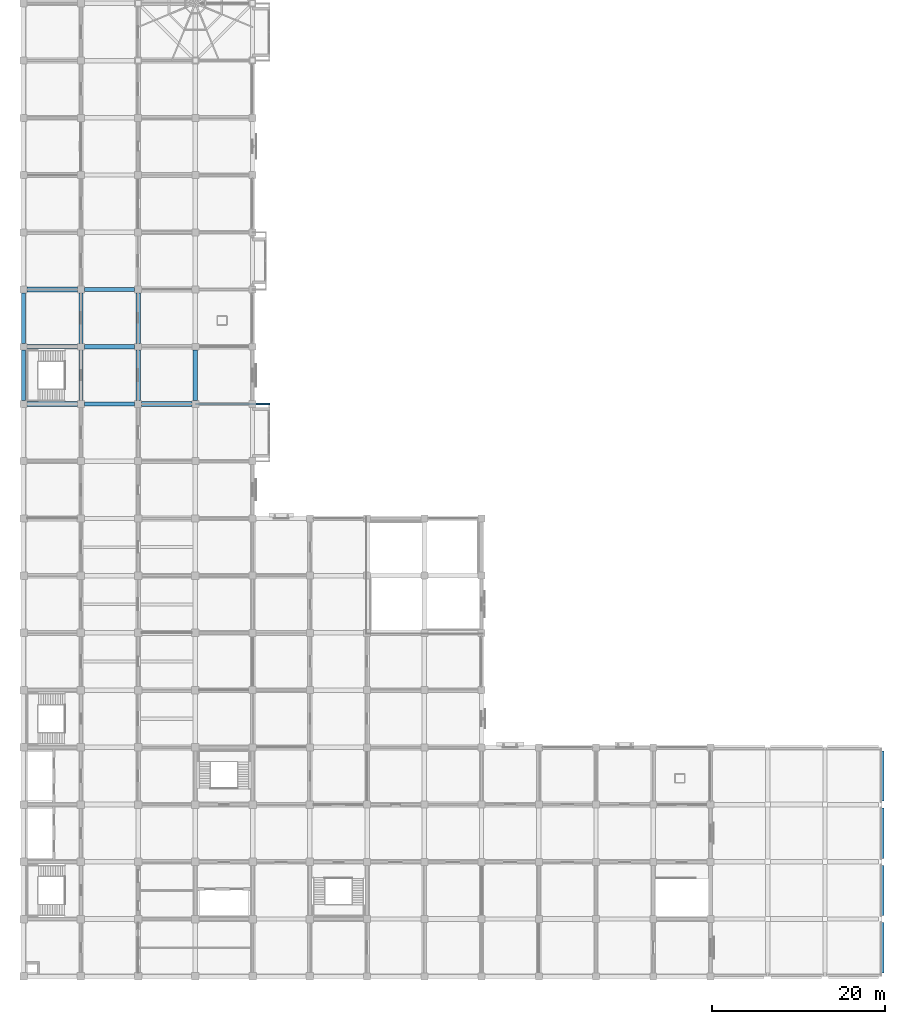
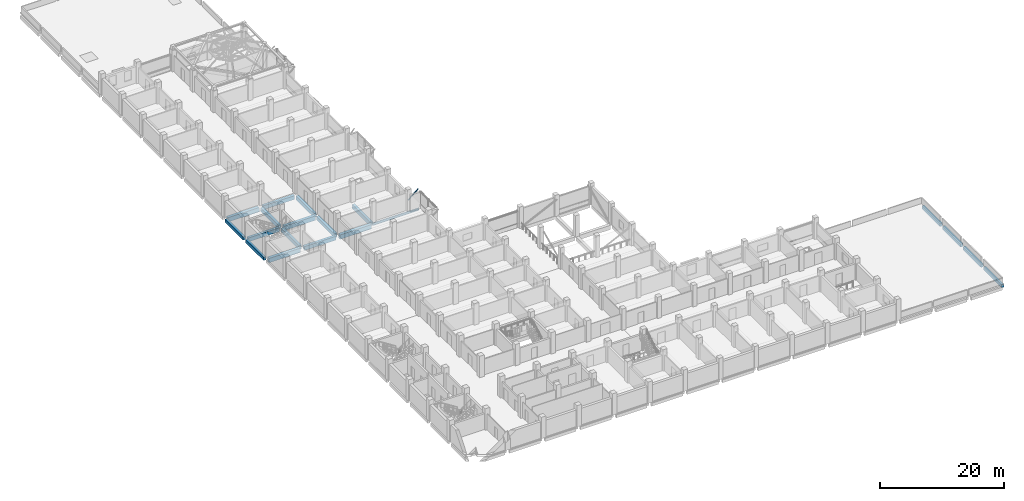
# One storey, part 9 of 30: 19 beams, 1 member.
"""IFC4 building model written with IfcOpenShell, lengths in metres."""

from ifc_helpers import new_model, si_unit, direction, frame, origin, origin_2d, place, context, subcontext, project, spatial, rectangle, hollow_circle, i_section, extrude, material, material_profile, profile_set, type_object, element, save


model = new_model("IFC4")

# Units and contexts
model_context = context("Model", 3, precision=1e-05, world=origin(), true_north=direction((0.0, 1.0)))
body_context = subcontext(model_context, "Body", "Model", "MODEL_VIEW")
ifc_project = project(units=[si_unit("LENGTHUNIT", "METRE"), si_unit("AREAUNIT", "SQUARE_METRE"), si_unit("VOLUMEUNIT", "CUBIC_METRE"), si_unit("PLANEANGLEUNIT", "RADIAN"), si_unit("MASSUNIT", "GRAM", prefix="KILO")], contexts=[model_context])

# Site, building, storey
site_placement = place(None, origin())
site = spatial("IfcSite", under=ifc_project, at=site_placement, CompositionType="ELEMENT")
building_placement = place(site_placement, origin())
building = spatial("IfcBuilding", under=site, at=building_placement, Name="Rusizi Kubbe Research Institute", CompositionType="ELEMENT")
storey_placement = place(building_placement, frame((0.0, 0.0, 10.199951171875)))
storey = spatial("IfcBuildingStorey", under=building, at=storey_placement, Name="L02", CompositionType="ELEMENT", Elevation=10.199951171875)

# Beams
ifc_material_1 = material(Name="Steel S355", Category="steel")
ifc_material_profile_1 = material_profile(ifc_material_1, i_section(OverallWidth=0.18994140625, OverallDepth=0.449951171875, WebThickness=0.009521484375, FlangeThickness=0.0146484375, at=origin_2d()), Name="IPE 450")
ifc_profile_set_1 = profile_set([ifc_material_profile_1], Name="Steel S355")
beam_type_1 = type_object("IfcBeamType", Name="BM-IPE450", PredefinedType="BEAM", material=ifc_profile_set_1)
beam_1_placement = place(storey_placement, frame((19.800048828125, 66.0, -0.574951171875), z_axis=(1.0, 0.0, 0.0), x_axis=(0.0, 1.0, 0.0)))
element("IfcBeam", 1, at=beam_1_placement, inside=storey, type_object=beam_type_1, Name="Cumba Back-Spanned Cantilever Beam L02-1N", PredefinedType="BEAM", context=body_context, shape_type="SweptSolid", body=[
    extrude(i_section(OverallWidth=0.18994140625, OverallDepth=0.449951171875, WebThickness=0.009521484375, FlangeThickness=0.0146484375, at=origin_2d()), origin(), (0.0, 0.0, 1.0), 8.599853515625),
])
ifc_material_2 = material(Name="Concrete C40/50", Category="concrete")
ifc_material_profile_2 = material_profile(ifc_material_2, rectangle(XDim=0.449951171875, YDim=0.60009765625, at=origin_2d()), Name="RC450x600")
ifc_profile_set_2 = profile_set([ifc_material_profile_2], Name="Concrete C40/50")
beam_type_2 = type_object("IfcBeamType", Name="BM-RC450x600", PredefinedType="SPANDREL", material=ifc_profile_set_2)
for number, where, z_axis, x_axis, name in (
    (2, (0.0, 66.39990234375, -0.64990234375), (0.0, 1.0, 0.0), (-1.0, 0.0, 0.0), "Grid Beam V L02 (0,10)"),
    (3, (0.0, 73.0, -0.64990234375), (0.0, 1.0, 0.0), (-1.0, 0.0, 0.0), "Grid Beam V L02 (0,11)"),
    (4, (99.0, 0.39990234375, -0.64990234375), (0.0, 1.0, 0.0), (-1.0, 0.0, 0.0), "Grid Beam V L02 (15,0)"),
    (5, (99.0, 7.0, -0.64990234375), (0.0, 1.0, 0.0), (-1.0, 0.0, 0.0), "Grid Beam V L02 (15,1)"),
):
    element("IfcBeam", number, at=place(storey_placement, frame(where, z_axis=z_axis, x_axis=x_axis)), inside=storey, type_object=beam_type_2, Name=name, PredefinedType="SPANDREL", context=body_context, shape_type="SweptSolid", body=[
        extrude(rectangle(XDim=0.449951171875, YDim=0.60009765625, at=origin_2d()), origin(), (0.0, 0.0, 1.0), 5.800048828125),
    ])
beam_2_placement = place(storey_placement, frame((99.0, 13.60009765625, -0.64990234375), z_axis=(0.0, 1.0, 0.0), x_axis=(-1.0, 0.0, 0.0)))
element("IfcBeam", 6, at=beam_2_placement, inside=storey, type_object=beam_type_2, Name="Grid Beam V L02 (15,2)", PredefinedType="SPANDREL", context=body_context, shape_type="SweptSolid", body=[
    extrude(rectangle(XDim=0.449951171875, YDim=0.60009765625, at=origin_2d()), origin(), (0.0, 0.0, 1.0), 5.7998046875),
])
beam_3_placement = place(storey_placement, frame((99.0, 20.199951171875, -0.64990234375), z_axis=(0.0, 1.0, 0.0), x_axis=(-1.0, 0.0, 0.0)))
element("IfcBeam", 7, at=beam_3_placement, inside=storey, type_object=beam_type_2, Name="Grid Beam V L02 (15,3)", PredefinedType="SPANDREL", context=body_context, shape_type="SweptSolid", body=[
    extrude(rectangle(XDim=0.449951171875, YDim=0.60009765625, at=origin_2d()), origin(), (0.0, 0.0, 1.0), 5.800048828125),
])
ifc_material_3 = material(Name="Concrete C45/55", Category="concrete")
ifc_material_profile_3 = material_profile(ifc_material_3, rectangle(XDim=0.5, YDim=0.75, at=origin_2d()), Name="RC500x750B")
ifc_profile_set_3 = profile_set([ifc_material_profile_3], Name="Concrete C45/55")
beam_type_3 = type_object("IfcBeamType", Name="BM-RC500x750", PredefinedType="BEAM", material=ifc_profile_set_3)
for number, where, z_axis, x_axis, name in (
    (8, (0.39990234375, 72.60009765625, -0.724853515625), (1.0, 0.0, 0.0), (0.0, 1.0, 0.0), "Grid Beam H L02 (0,11)"),
    (9, (7.0, 66.0, -0.724853515625), (1.0, 0.0, 0.0), (0.0, 1.0, 0.0), "Grid Beam H L02 (1,10)"),
    (10, (7.0, 79.199951171875, -0.724853515625), (1.0, 0.0, 0.0), (0.0, 1.0, 0.0), "Grid Beam H L02 (1,12)"),
    (11, (6.60009765625, 66.39990234375, -0.724853515625), (0.0, 1.0, 0.0), (-1.0, 0.0, 0.0), "Grid Beam V L02 (1,10)"),
    (12, (6.60009765625, 73.0, -0.724853515625), (0.0, 1.0, 0.0), (-1.0, 0.0, 0.0), "Grid Beam V L02 (1,11)"),
    (13, (13.199951171875, 66.39990234375, -0.724853515625), (0.0, 1.0, 0.0), (-1.0, 0.0, 0.0), "Grid Beam V L02 (2,10)"),
    (14, (13.199951171875, 73.0, -0.724853515625), (0.0, 1.0, 0.0), (-1.0, 0.0, 0.0), "Grid Beam V L02 (2,11)"),
    (15, (19.800048828125, 66.39990234375, -0.724853515625), (0.0, 1.0, 0.0), (-1.0, 0.0, 0.0), "Grid Beam V L02 (3,10)"),
):
    element("IfcBeam", number, at=place(storey_placement, frame(where, z_axis=z_axis, x_axis=x_axis)), inside=storey, type_object=beam_type_3, Name=name, PredefinedType="BEAM", context=body_context, shape_type="SweptSolid", body=[
        extrude(rectangle(XDim=0.5, YDim=0.75, at=origin_2d()), origin(), (0.0, 0.0, 1.0), 5.800048828125),
    ])
ifc_material_4 = material(Name="Concrete C45/55", Category="concrete")
ifc_material_profile_4 = material_profile(ifc_material_4, rectangle(XDim=0.550048828125, YDim=0.85009765625, at=origin_2d()), Name="RC550x850")
ifc_profile_set_4 = profile_set([ifc_material_profile_4], Name="Concrete C45/55")
beam_type_4 = type_object("IfcBeamType", Name="BM-RC550x850", PredefinedType="BEAM", material=ifc_profile_set_4)
for number, where, z_axis, x_axis, name in (
    (16, (0.39990234375, 66.0, -0.77490234375), (1.0, 0.0, 0.0), (0.0, 1.0, 0.0), "Grid Beam H L02 (0,10)"),
    (17, (0.39990234375, 79.199951171875, -0.77490234375), (1.0, 0.0, 0.0), (0.0, 1.0, 0.0), "Grid Beam H L02 (0,12)"),
    (18, (7.0, 72.60009765625, -0.77490234375), (1.0, 0.0, 0.0), (0.0, 1.0, 0.0), "Grid Beam H L02 (1,11)"),
):
    element("IfcBeam", number, at=place(storey_placement, frame(where, z_axis=z_axis, x_axis=x_axis)), inside=storey, type_object=beam_type_4, Name=name, PredefinedType="BEAM", context=body_context, shape_type="SweptSolid", body=[
        extrude(rectangle(XDim=0.550048828125, YDim=0.85009765625, at=origin_2d()), origin(), (0.0, 0.0, 1.0), 5.800048828125),
    ])
beam_4_placement = place(storey_placement, frame((13.60009765625, 66.0, -0.77490234375), z_axis=(1.0, 0.0, 0.0), x_axis=(0.0, 1.0, 0.0)))
element("IfcBeam", 19, at=beam_4_placement, inside=storey, type_object=beam_type_4, Name="Grid Beam H L02 (2,10)", PredefinedType="BEAM", context=body_context, shape_type="SweptSolid", body=[
    extrude(rectangle(XDim=0.550048828125, YDim=0.85009765625, at=origin_2d()), origin(), (0.0, 0.0, 1.0), 5.7998046875),
])

# Member
ifc_material_5 = material(Name="Steel S355", Category="steel")
ifc_material_profile_5 = material_profile(ifc_material_5, hollow_circle(Radius=0.109619140625, WallThickness=0.008056640625, at=origin_2d()), Name="CHS 219.1x8.0")
ifc_profile_set_5 = profile_set([ifc_material_profile_5], Name="Steel S355")
member_type = type_object("IfcMemberType", Name="MB-CHS219", PredefinedType="BRACE", material=ifc_profile_set_5)
member_placement = place(storey_placement, frame((26.39990234375, 66.0, 1.85009765625), z_axis=(0.756409887843, 0.0, 0.654097914362), x_axis=(0.0, 1.0, 0.0)))
element("IfcMember", 20, at=member_placement, inside=storey, type_object=member_type, Name="Cumba Diagonal Corbel Brace L03-1N", PredefinedType="BRACE", context=body_context, shape_type="SweptSolid", body=[
    extrude(hollow_circle(Radius=0.109619140625, WallThickness=0.008056640625, at=origin_2d()), origin(), (0.0, 0.0, 1.0), 2.44580078125),
])

save(model, "model.ifc")
